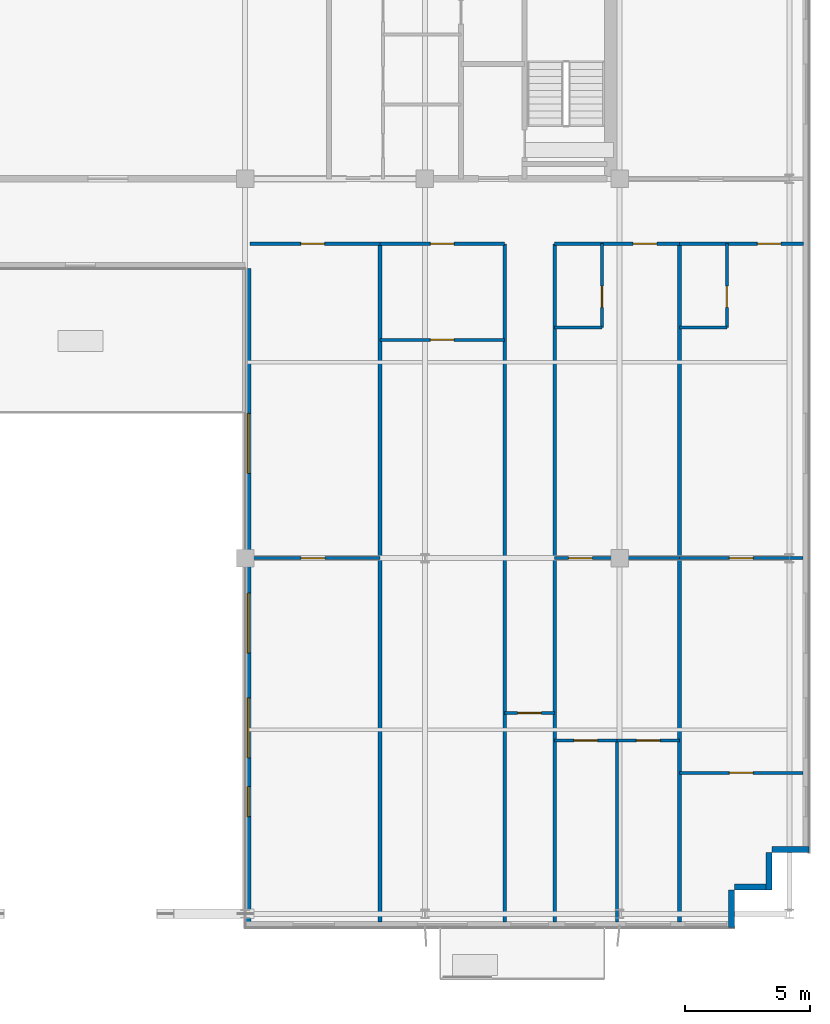
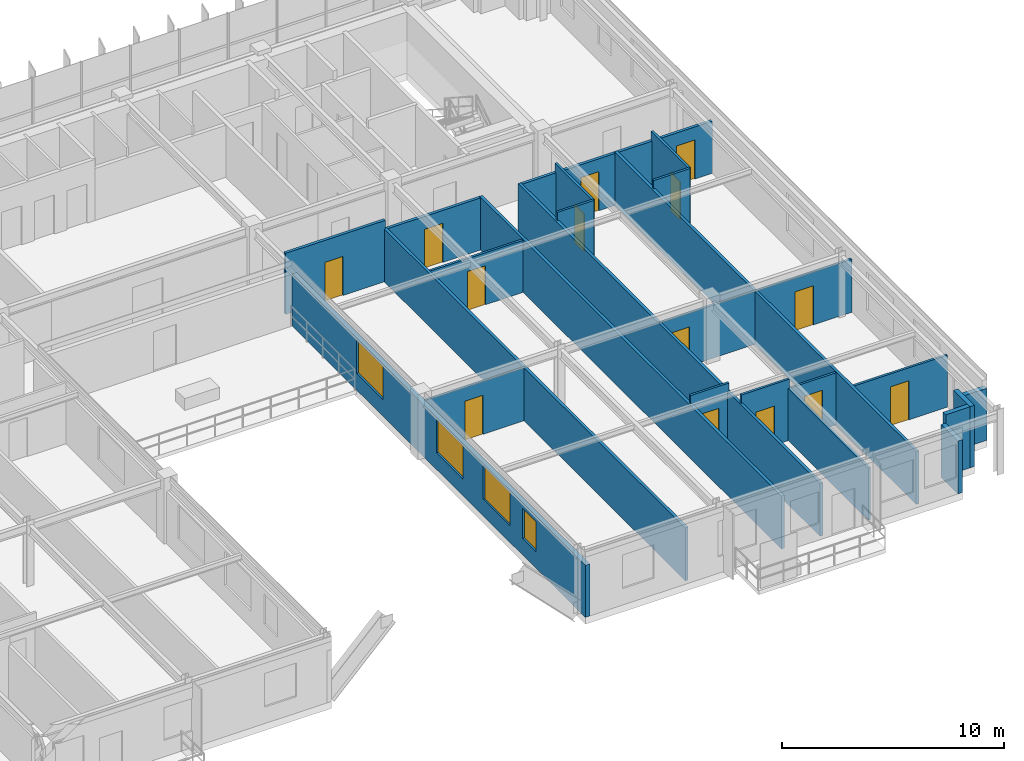
# One storey, part 18 of 23: 26 walls, 14 doors, 4 windows, 18 openings.
"""IFC4 building model written with IfcOpenShell, lengths in metres."""

from ifc_helpers import new_model, si_unit, direction, frame, frame_2d, origin, place, context, subcontext, project, spatial, rectangle, extrude, source, transform, mapped, material, layer, layer_set, type_object, element, fill, save


model = new_model("IFC4")

# Units and contexts
model_context = context("Model", 3, precision=1e-05, world=origin(), true_north=direction((0.0, 1.0)))
body_context = subcontext(model_context, "Body", "Model", "MODEL_VIEW")
ifc_project = project(units=[si_unit("LENGTHUNIT", "METRE"), si_unit("AREAUNIT", "SQUARE_METRE"), si_unit("VOLUMEUNIT", "CUBIC_METRE"), si_unit("PLANEANGLEUNIT", "RADIAN"), si_unit("MASSUNIT", "GRAM", prefix="KILO")], contexts=[model_context])

# Site, building, storey
site_placement = place(None, origin())
site = spatial("IfcSite", under=ifc_project, at=site_placement, CompositionType="ELEMENT")
building_placement = place(site_placement, origin())
building = spatial("IfcBuilding", under=site, at=building_placement, Name="Trelvane Seafront Commons", CompositionType="ELEMENT")
storey_placement = place(building_placement, frame((0.0, 0.0, 190.5)))
storey = spatial("IfcBuildingStorey", under=building, at=storey_placement, Name="L49", CompositionType="ELEMENT", Elevation=190.5)

# Walls
ifc_material_1 = material(Name="Precast concrete C40/50", Category="concrete")
ifc_layer_1 = layer(ifc_material_1, 0.239990234375, Name="ARCH-WALL-EXT240")
ifc_layer_set_1 = layer_set([ifc_layer_1], Name="Precast concrete C40/50")
wall_type_1 = type_object("IfcWallType", Name="ARCH-WALL-EXT240", PredefinedType="SOLIDWALL", material=ifc_layer_set_1)
wall_1_placement = place(storey_placement, frame((66.39990234375, 6.52001953125, 0.0), z_axis=(0.0, 0.0, 1.0), x_axis=(-1.0, 0.0, 0.0)))
element("IfcWall", 1, at=wall_1_placement, inside=storey, type_object=wall_type_1, Name="EW-L49-00972", PredefinedType="SOLIDWALL", context=body_context, shape_type="SweptSolid", body=[
    extrude(rectangle(XDim=1.5, YDim=0.239990234375, at=frame_2d((0.75, 0.0))), origin(), (0.0, 0.0, 1.0), 2.860107421875),
])
for number, where, z_axis, x_axis, name in (
    (2, (64.780029296875, 6.39990234375, 0.0), (0.0, 0.0, 1.0), (0.0, -1.0, 0.0), "EW-L49-00973"),
    (3, (64.89990234375, 5.02001953125, 0.0), (0.0, 0.0, 1.0), (-1.0, 0.0, 0.0), "EW-L49-00974"),
):
    element("IfcWall", number, at=place(storey_placement, frame(where, z_axis=z_axis, x_axis=x_axis)), inside=storey, type_object=wall_type_1, Name=name, PredefinedType="SOLIDWALL", context=body_context, shape_type="SweptSolid", body=[
        extrude(rectangle(XDim=1.5, YDim=0.239990234375, at=frame_2d((0.75, 0.0))), origin(), (0.0, 0.0, 1.0), 3.360107421875),
    ])
wall_2_placement = place(storey_placement, frame((63.280029296875, 4.89990234375, 0.0), z_axis=(0.0, 0.0, 1.0), x_axis=(0.0, -1.0, 0.0)))
element("IfcWall", 4, at=wall_2_placement, inside=storey, type_object=wall_type_1, Name="EW-L49-00975", PredefinedType="SOLIDWALL", context=body_context, shape_type="SweptSolid", body=[
    extrude(rectangle(XDim=1.5, YDim=0.239990234375, at=frame_2d((0.75, 0.0))), origin(), (0.0, 0.0, 1.0), 2.909912109375),
])

# Wall, openings, windows
wall_3_placement = place(storey_placement, frame((43.919921875, 3.39990234375, 0.0), z_axis=(0.0, 0.0, 1.0), x_axis=(0.0, 1.0, 0.0)))
wall_3 = element("IfcWall", 5, at=wall_3_placement, inside=storey, type_object=wall_type_1, Name="EW-L49-00977", PredefinedType="SOLIDWALL", context=body_context, shape_type="SweptSolid", body=[
    extrude(rectangle(XDim=26.400146484375, YDim=0.239990234375, at=frame_2d((13.2001953125, 0.0))), origin(), (0.0, 0.0, 1.0), 2.860107421875),
])
opening_1_placement = place(wall_3_placement, frame((4.449951171875, 0.0, 0.919921875)))
opening_1 = element("IfcOpeningElement", 6, at=opening_1_placement, cuts=wall_3, Name="Opening W05", PredefinedType="OPENING", context=body_context, shape_type="SweptSolid", body=[
    extrude(rectangle(XDim=1.199951171875, YDim=1.64990234375, at=frame_2d((0.60009765625, 0.824951171875))), frame((0.0, 0.1298828125, 0.0), z_axis=(0.0, -1.0, 0.0), x_axis=(1.0, 0.0, 0.0)), (0.0, 0.0, 1.0), 0.260009765625),
])
opening_2_placement = place(wall_3_placement, frame((6.800048828125, 0.0, 0.919921875)))
opening_2 = element("IfcOpeningElement", 7, at=opening_2_placement, cuts=wall_3, Name="Opening W08", PredefinedType="OPENING", context=body_context, shape_type="SweptSolid", body=[
    extrude(rectangle(XDim=2.39990234375, YDim=1.840087890625, at=frame_2d((1.199951171875, 0.919921875))), frame((0.0, 0.1298828125, 0.0), z_axis=(0.0, -1.0, 0.0), x_axis=(1.0, 0.0, 0.0)), (0.0, 0.0, 1.0), 0.260009765625),
])
opening_3_placement = place(wall_3_placement, frame((11.0, 0.0, 0.919921875)))
opening_3 = element("IfcOpeningElement", 8, at=opening_3_placement, cuts=wall_3, Name="Opening W08", PredefinedType="OPENING", context=body_context, shape_type="SweptSolid", body=[
    extrude(rectangle(XDim=2.39990234375, YDim=1.840087890625, at=frame_2d((1.199951171875, 0.919921875))), frame((0.0, 0.1298828125, 0.0), z_axis=(0.0, -1.0, 0.0), x_axis=(1.0, 0.0, 0.0)), (0.0, 0.0, 1.0), 0.260009765625),
])
opening_4_placement = place(wall_3_placement, frame((18.199951171875, 0.0, 0.919921875)))
opening_4 = element("IfcOpeningElement", 9, at=opening_4_placement, cuts=wall_3, Name="Opening W08", PredefinedType="OPENING", context=body_context, shape_type="SweptSolid", body=[
    extrude(rectangle(XDim=2.39990234375, YDim=1.840087890625, at=frame_2d((1.199951171875, 0.919921875))), frame((0.0, 0.1298828125, 0.0), z_axis=(0.0, -1.0, 0.0), x_axis=(1.0, 0.0, 0.0)), (0.0, 0.0, 1.0), 0.260009765625),
])
ifc_material_2 = material(Name="Low-E coastal double glazing", Category="glass")
window_type_1 = type_object("IfcWindowType", Name="ARCH-WIN-W05", PartitioningType="SINGLE_PANEL", PredefinedType="WINDOW", material=ifc_material_2)
shared_shape_1 = source(origin(), body_context, "Body", "SweptSolid", [
    extrude(rectangle(XDim=1.199951171875, YDim=1.64990234375, at=frame_2d((0.60009765625, 0.824951171875))), frame((0.0, 0.030029296875, 0.0), z_axis=(0.0, -1.0, 0.0), x_axis=(1.0, 0.0, 0.0)), (0.0, 0.0, 1.0), 0.06005859375),
])
window_1_placement = place(opening_1_placement, origin())
window_1 = element("IfcWindow", 10, at=window_1_placement, inside=storey, type_object=window_type_1, Name="WIN-L49-EW-01154", OverallHeight=1.64990234375, OverallWidth=1.199951171875, PartitioningType="SINGLE_PANEL", PredefinedType="WINDOW", context=body_context, shape_type="MappedRepresentation", body=[
    mapped(shared_shape_1, transform((0.0, 0.0, 0.0), x_axis=(1.0, 0.0, 0.0), y_axis=(0.0, 1.0, 0.0), z_axis=(0.0, 0.0, 1.0), scale=1.0)),
])
fill(opening_1, window_1)
window_type_2 = type_object("IfcWindowType", Name="ARCH-WIN-W08", PartitioningType="SINGLE_PANEL", PredefinedType="WINDOW", material=ifc_material_2)
shared_shape_2 = source(origin(), body_context, "Body", "SweptSolid", [
    extrude(rectangle(XDim=2.39990234375, YDim=1.840087890625, at=frame_2d((1.199951171875, 0.919921875))), frame((0.0, 0.030029296875, 0.0), z_axis=(0.0, -1.0, 0.0), x_axis=(1.0, 0.0, 0.0)), (0.0, 0.0, 1.0), 0.06005859375),
])
window_2_placement = place(opening_2_placement, origin())
window_2 = element("IfcWindow", 11, at=window_2_placement, inside=storey, type_object=window_type_2, Name="WIN-L49-EW-01155", OverallHeight=1.840087890625, OverallWidth=2.39990234375, PartitioningType="SINGLE_PANEL", PredefinedType="WINDOW", context=body_context, shape_type="MappedRepresentation", body=[
    mapped(shared_shape_2, transform((0.0, 0.0, 0.0), x_axis=(1.0, 0.0, 0.0), y_axis=(0.0, 1.0, 0.0), z_axis=(0.0, 0.0, 1.0), scale=1.0)),
])
fill(opening_2, window_2)
window_3_placement = place(opening_3_placement, origin())
window_3 = element("IfcWindow", 12, at=window_3_placement, inside=storey, type_object=window_type_2, Name="WIN-L49-EW-01156", OverallHeight=1.840087890625, OverallWidth=2.39990234375, PartitioningType="SINGLE_PANEL", PredefinedType="WINDOW", context=body_context, shape_type="MappedRepresentation", body=[
    mapped(shared_shape_2, transform((0.0, 0.0, 0.0), x_axis=(1.0, 0.0, 0.0), y_axis=(0.0, 1.0, 0.0), z_axis=(0.0, 0.0, 1.0), scale=1.0)),
])
fill(opening_3, window_3)
window_4_placement = place(opening_4_placement, origin())
window_4 = element("IfcWindow", 13, at=window_4_placement, inside=storey, type_object=window_type_2, Name="WIN-L49-EW-01157", OverallHeight=1.840087890625, OverallWidth=2.39990234375, PartitioningType="SINGLE_PANEL", PredefinedType="WINDOW", context=body_context, shape_type="MappedRepresentation", body=[
    mapped(shared_shape_2, transform((0.0, 0.0, 0.0), x_axis=(1.0, 0.0, 0.0), y_axis=(0.0, 1.0, 0.0), z_axis=(0.0, 0.0, 1.0), scale=1.0)),
])
fill(opening_4, window_4)

# Wall, opening, door
ifc_material_3 = material(Name="Gypsum Drywall Acoustic Partition")
ifc_layer_2 = layer(ifc_material_3, 0.1201171875, Name="ARCH-WALL-PART120")
ifc_layer_set_2 = layer_set([ifc_layer_2], Name="Gypsum Drywall Acoustic Partition")
wall_type_2 = type_object("IfcWallType", Name="ARCH-WALL-PART120", PredefinedType="PARTITIONING", material=ifc_layer_set_2)
wall_4_placement = place(storey_placement, frame((44.02490234375, 18.199951171875, 0.0), z_axis=(0.0, 0.0, 1.0), x_axis=(1.0, 0.0, 0.0)))
wall_4 = element("IfcWall", 14, at=wall_4_placement, inside=storey, type_object=wall_type_2, Name="W-L49-U7-DIV-071", PredefinedType="PARTITIONING", context=body_context, shape_type="SweptSolid", body=[
    extrude(rectangle(XDim=5.175048828125, YDim=0.1201171875, at=frame_2d((2.58740234375, 0.0))), origin(), (0.0, 0.0, 1.0), 2.909912109375),
])
opening_5_placement = place(wall_4_placement, frame((2.02099609375, 0.0, 0.0)))
opening_5 = element("IfcOpeningElement", 15, at=opening_5_placement, cuts=wall_4, Name="Opening D-L49-44", PredefinedType="OPENING", context=body_context, shape_type="SweptSolid", body=[
    extrude(rectangle(XDim=0.949951171875, YDim=2.14990234375, at=frame_2d((0.47509765625, 1.074951171875))), frame((0.0, 0.070068359375, 0.0), z_axis=(0.0, -1.0, 0.0), x_axis=(1.0, 0.0, 0.0)), (0.0, 0.0, 1.0), 0.14013671875),
])
ifc_material_4 = material(Name="Acoustic timber door leaf", Category="wood")
door_type_1 = type_object("IfcDoorType", Name="ARCH-DR-INT950", OperationType="NOTDEFINED", PredefinedType="DOOR", material=ifc_material_4)
shared_shape_3 = source(origin(), body_context, "Body", "SweptSolid", [
    extrude(rectangle(XDim=0.949951171875, YDim=2.14990234375, at=frame_2d((0.47509765625, 1.074951171875))), frame((0.0, 0.02490234375, 0.0), z_axis=(0.0, -1.0, 0.0), x_axis=(1.0, 0.0, 0.0)), (0.0, 0.0, 1.0), 0.050048828125),
])
door_1_placement = place(opening_5_placement, origin())
door_1 = element("IfcDoor", 16, at=door_1_placement, inside=storey, type_object=door_type_1, Name="L49 Door 44", OperationType="SINGLE_SWING_RIGHT", OverallHeight=2.14990234375, OverallWidth=0.949951171875, PredefinedType="DOOR", context=body_context, shape_type="MappedRepresentation", body=[
    mapped(shared_shape_3, transform((0.0, 0.0, 0.0), x_axis=(1.0, 0.0, 0.0), y_axis=(0.0, 1.0, 0.0), z_axis=(0.0, 0.0, 1.0), scale=1.0)),
])
fill(opening_5, door_1)

wall_5_placement = place(storey_placement, frame((49.199951171875, 26.949951171875, 0.0), z_axis=(0.0, 0.0, 1.0), x_axis=(1.0, 0.0, 0.0)))
wall_5 = element("IfcWall", 17, at=wall_5_placement, inside=storey, type_object=wall_type_2, Name="W-L49-U8-DIV-073", PredefinedType="PARTITIONING", context=body_context, shape_type="SweptSolid", body=[
    extrude(rectangle(XDim=5.0, YDim=0.1201171875, at=frame_2d((2.5, 0.0))), origin(), (0.0, 0.0, 1.0), 2.860107421875),
])
opening_6_placement = place(wall_5_placement, frame((2.02490234375, 0.0, 0.0)))
opening_6 = element("IfcOpeningElement", 18, at=opening_6_placement, cuts=wall_5, Name="Opening D-L49-46", PredefinedType="OPENING", context=body_context, shape_type="SweptSolid", body=[
    extrude(rectangle(XDim=0.949951171875, YDim=2.14990234375, at=frame_2d((0.47509765625, 1.074951171875))), frame((0.0, 0.070068359375, 0.0), z_axis=(0.0, -1.0, 0.0), x_axis=(1.0, 0.0, 0.0)), (0.0, 0.0, 1.0), 0.14013671875),
])
door_2_placement = place(opening_6_placement, origin())
door_2 = element("IfcDoor", 19, at=door_2_placement, inside=storey, type_object=door_type_1, Name="L49 Door 46", OperationType="SINGLE_SWING_RIGHT", OverallHeight=2.14990234375, OverallWidth=0.949951171875, PredefinedType="DOOR", context=body_context, shape_type="MappedRepresentation", body=[
    mapped(shared_shape_3, transform((0.0, 0.0, 0.0), x_axis=(1.0, 0.0, 0.0), y_axis=(0.0, 1.0, 0.0), z_axis=(0.0, 0.0, 1.0), scale=1.0)),
])
fill(opening_6, door_2)

wall_6_placement = place(storey_placement, frame((54.199951171875, 12.0, 0.0), z_axis=(0.0, 0.0, 1.0), x_axis=(1.0, 0.0, 0.0)))
wall_6 = element("IfcWall", 20, at=wall_6_placement, inside=storey, type_object=wall_type_2, Name="W-L49-ARM-END-9-076", PredefinedType="PARTITIONING", context=body_context, shape_type="SweptSolid", body=[
    extrude(rectangle(XDim=2.0, YDim=0.1201171875, at=frame_2d((1.0, 0.0))), origin(), (0.0, 0.0, 1.0), 3.360107421875),
])
opening_7_placement = place(wall_6_placement, frame((0.52001953125, 0.0, 0.0)))
opening_7 = element("IfcOpeningElement", 21, at=opening_7_placement, cuts=wall_6, Name="Opening D-L49-47", PredefinedType="OPENING", context=body_context, shape_type="SweptSolid", body=[
    extrude(rectangle(XDim=0.949951171875, YDim=2.14990234375, at=frame_2d((0.47509765625, 1.074951171875))), frame((0.0, 0.070068359375, 0.0), z_axis=(0.0, -1.0, 0.0), x_axis=(1.0, 0.0, 0.0)), (0.0, 0.0, 1.0), 0.14013671875),
])
door_3_placement = place(opening_7_placement, origin())
door_3 = element("IfcDoor", 22, at=door_3_placement, inside=storey, type_object=door_type_1, Name="L49 Door 47", OperationType="SINGLE_SWING_LEFT", OverallHeight=2.14990234375, OverallWidth=0.949951171875, PredefinedType="DOOR", context=body_context, shape_type="MappedRepresentation", body=[
    mapped(shared_shape_3, transform((0.0, 0.0, 0.0), x_axis=(1.0, 0.0, 0.0), y_axis=(0.0, 1.0, 0.0), z_axis=(0.0, 0.0, 1.0), scale=1.0)),
])
fill(opening_7, door_3)

wall_7_placement = place(storey_placement, frame((56.199951171875, 18.199951171875, 0.0), z_axis=(0.0, 0.0, 1.0), x_axis=(1.0, 0.0, 0.0)))
wall_7 = element("IfcWall", 23, at=wall_7_placement, inside=storey, type_object=wall_type_2, Name="W-L49-U10-KL-077", PredefinedType="PARTITIONING", context=body_context, shape_type="SweptSolid", body=[
    extrude(rectangle(XDim=5.0, YDim=0.1201171875, at=frame_2d((2.5, 0.0))), origin(), (0.0, 0.0, 1.0), 2.909912109375),
])
opening_8_placement = place(wall_7_placement, frame((0.56298828125, 0.0, 0.0)))
opening_8 = element("IfcOpeningElement", 24, at=opening_8_placement, cuts=wall_7, Name="Opening D-L49-48", PredefinedType="OPENING", context=body_context, shape_type="SweptSolid", body=[
    extrude(rectangle(XDim=0.949951171875, YDim=2.14990234375, at=frame_2d((0.47509765625, 1.074951171875))), frame((0.0, 0.070068359375, 0.0), z_axis=(0.0, -1.0, 0.0), x_axis=(1.0, 0.0, 0.0)), (0.0, 0.0, 1.0), 0.14013671875),
])
door_4_placement = place(opening_8_placement, origin())
door_4 = element("IfcDoor", 25, at=door_4_placement, inside=storey, type_object=door_type_1, Name="L49 Door 48", OperationType="SINGLE_SWING_RIGHT", OverallHeight=2.14990234375, OverallWidth=0.949951171875, PredefinedType="DOOR", context=body_context, shape_type="MappedRepresentation", body=[
    mapped(shared_shape_3, transform((0.0, 0.0, 0.0), x_axis=(1.0, 0.0, 0.0), y_axis=(0.0, 1.0, 0.0), z_axis=(0.0, 0.0, 1.0), scale=1.0)),
])
fill(opening_8, door_4)

wall_8_placement = place(storey_placement, frame((58.10009765625, 27.449951171875, 0.0), z_axis=(0.0, 0.0, 1.0), x_axis=(0.0, 1.0, 0.0)))
wall_8 = element("IfcWall", 26, at=wall_8_placement, inside=storey, type_object=wall_type_2, Name="W-L49-U10-BE-078", PredefinedType="PARTITIONING", context=body_context, shape_type="SweptSolid", body=[
    extrude(rectangle(XDim=3.35009765625, YDim=0.1201171875, at=frame_2d((1.675048828125, 0.0))), origin(), (0.0, 0.0, 1.0), 3.360107421875),
])
opening_9_placement = place(wall_8_placement, frame((0.800048828125, 0.0, 0.0)))
opening_9 = element("IfcOpeningElement", 27, at=opening_9_placement, cuts=wall_8, Name="Opening D-L49-49", PredefinedType="OPENING", context=body_context, shape_type="SweptSolid", body=[
    extrude(rectangle(XDim=0.85009765625, YDim=2.10009765625, at=frame_2d((0.425048828125, 1.050048828125))), frame((0.0, 0.070068359375, 0.0), z_axis=(0.0, -1.0, 0.0), x_axis=(1.0, 0.0, 0.0)), (0.0, 0.0, 1.0), 0.14013671875),
])
door_type_2 = type_object("IfcDoorType", Name="ARCH-DR-INT850", OperationType="NOTDEFINED", PredefinedType="DOOR", material=ifc_material_4)
shared_shape_4 = source(origin(), body_context, "Body", "SweptSolid", [
    extrude(rectangle(XDim=0.85009765625, YDim=2.10009765625, at=frame_2d((0.425048828125, 1.050048828125))), frame((0.0, 0.02490234375, 0.0), z_axis=(0.0, -1.0, 0.0), x_axis=(1.0, 0.0, 0.0)), (0.0, 0.0, 1.0), 0.050048828125),
])
door_5_placement = place(opening_9_placement, origin())
door_5 = element("IfcDoor", 28, at=door_5_placement, inside=storey, type_object=door_type_2, Name="L49 Door 49", OperationType="SINGLE_SWING_LEFT", OverallHeight=2.10009765625, OverallWidth=0.85009765625, PredefinedType="DOOR", context=body_context, shape_type="MappedRepresentation", body=[
    mapped(shared_shape_4, transform((0.0, 0.0, 0.0), x_axis=(1.0, 0.0, 0.0), y_axis=(0.0, 1.0, 0.0), z_axis=(0.0, 0.0, 1.0), scale=1.0)),
])
fill(opening_9, door_5)

# Wall
wall_9_placement = place(storey_placement, frame((56.199951171875, 27.449951171875, 0.0), z_axis=(0.0, 0.0, 1.0), x_axis=(1.0, 0.0, 0.0)))
element("IfcWall", 29, at=wall_9_placement, inside=storey, type_object=wall_type_2, Name="W-L49-U10-BS-079", PredefinedType="PARTITIONING", context=body_context, shape_type="SweptSolid", body=[
    extrude(rectangle(XDim=1.900146484375, YDim=0.1201171875, at=frame_2d((0.9501953125, 0.0))), origin(), (0.0, 0.0, 1.0), 3.360107421875),
])

# Wall, opening, door
wall_10_placement = place(storey_placement, frame((56.199951171875, 10.89990234375, 0.0), z_axis=(0.0, 0.0, 1.0), x_axis=(1.0, 0.0, 0.0)))
wall_10 = element("IfcWall", 30, at=wall_10_placement, inside=storey, type_object=wall_type_2, Name="W-L49-U10-YM-1-081", PredefinedType="PARTITIONING", context=body_context, shape_type="SweptSolid", body=[
    extrude(rectangle(XDim=2.5, YDim=0.1201171875, at=frame_2d((1.25, 0.0))), origin(), (0.0, 0.0, 1.0), 3.360107421875),
])
opening_10_placement = place(wall_10_placement, frame((0.77490234375, 0.0, 0.0)))
opening_10 = element("IfcOpeningElement", 31, at=opening_10_placement, cuts=wall_10, Name="Opening D-L49-51", PredefinedType="OPENING", context=body_context, shape_type="SweptSolid", body=[
    extrude(rectangle(XDim=0.949951171875, YDim=2.14990234375, at=frame_2d((0.47509765625, 1.074951171875))), frame((0.0, 0.070068359375, 0.0), z_axis=(0.0, -1.0, 0.0), x_axis=(1.0, 0.0, 0.0)), (0.0, 0.0, 1.0), 0.14013671875),
])
door_6_placement = place(opening_10_placement, origin())
door_6 = element("IfcDoor", 32, at=door_6_placement, inside=storey, type_object=door_type_1, Name="L49 Door 51", OperationType="SINGLE_SWING_LEFT", OverallHeight=2.14990234375, OverallWidth=0.949951171875, PredefinedType="DOOR", context=body_context, shape_type="MappedRepresentation", body=[
    mapped(shared_shape_3, transform((0.0, 0.0, 0.0), x_axis=(1.0, 0.0, 0.0), y_axis=(0.0, 1.0, 0.0), z_axis=(0.0, 0.0, 1.0), scale=1.0)),
])
fill(opening_10, door_6)

wall_11_placement = place(storey_placement, frame((58.699951171875, 10.89990234375, 0.0), z_axis=(0.0, 0.0, 1.0), x_axis=(1.0, 0.0, 0.0)))
wall_11 = element("IfcWall", 33, at=wall_11_placement, inside=storey, type_object=wall_type_2, Name="W-L49-U10-YM-2-082", PredefinedType="PARTITIONING", context=body_context, shape_type="SweptSolid", body=[
    extrude(rectangle(XDim=2.5, YDim=0.1201171875, at=frame_2d((1.25, 0.0))), origin(), (0.0, 0.0, 1.0), 2.860107421875),
])
opening_11_placement = place(wall_11_placement, frame((0.77490234375, 0.0, 0.0)))
opening_11 = element("IfcOpeningElement", 34, at=opening_11_placement, cuts=wall_11, Name="Opening D-L49-52", PredefinedType="OPENING", context=body_context, shape_type="SweptSolid", body=[
    extrude(rectangle(XDim=0.949951171875, YDim=2.14990234375, at=frame_2d((0.47509765625, 1.074951171875))), frame((0.0, 0.070068359375, 0.0), z_axis=(0.0, -1.0, 0.0), x_axis=(1.0, 0.0, 0.0)), (0.0, 0.0, 1.0), 0.14013671875),
])
door_7_placement = place(opening_11_placement, origin())
door_7 = element("IfcDoor", 35, at=door_7_placement, inside=storey, type_object=door_type_1, Name="L49 Door 52", OperationType="SINGLE_SWING_RIGHT", OverallHeight=2.14990234375, OverallWidth=0.949951171875, PredefinedType="DOOR", context=body_context, shape_type="MappedRepresentation", body=[
    mapped(shared_shape_3, transform((0.0, 0.0, 0.0), x_axis=(1.0, 0.0, 0.0), y_axis=(0.0, 1.0, 0.0), z_axis=(0.0, 0.0, 1.0), scale=1.0)),
])
fill(opening_11, door_7)

# Wall
wall_12_placement = place(storey_placement, frame((58.699951171875, 3.625, 0.0), z_axis=(0.0, 0.0, 1.0), x_axis=(0.0, 1.0, 0.0)))
element("IfcWall", 36, at=wall_12_placement, inside=storey, type_object=wall_type_2, Name="W-L49-U10-BDV-1-083", PredefinedType="PARTITIONING", context=body_context, shape_type="SweptSolid", body=[
    extrude(rectangle(XDim=7.27490234375, YDim=0.1201171875, at=frame_2d((3.637451171875, 0.0))), origin(), (0.0, 0.0, 1.0), 2.860107421875),
])

# Wall, opening, door
wall_13_placement = place(storey_placement, frame((61.199951171875, 18.199951171875, 0.0), z_axis=(0.0, 0.0, 1.0), x_axis=(1.0, 0.0, 0.0)))
wall_13 = element("IfcWall", 37, at=wall_13_placement, inside=storey, type_object=wall_type_2, Name="W-L49-U11-KL-084", PredefinedType="PARTITIONING", context=body_context, shape_type="SweptSolid", body=[
    extrude(rectangle(XDim=4.9599609375, YDim=0.1201171875, at=frame_2d((2.47998046875, 0.0))), origin(), (0.0, 0.0, 1.0), 2.909912109375),
])
opening_12_placement = place(wall_13_placement, frame((2.0048828125, 0.0, 0.0)))
opening_12 = element("IfcOpeningElement", 38, at=opening_12_placement, cuts=wall_13, Name="Opening D-L49-53", PredefinedType="OPENING", context=body_context, shape_type="SweptSolid", body=[
    extrude(rectangle(XDim=0.949951171875, YDim=2.14990234375, at=frame_2d((0.47509765625, 1.074951171875))), frame((0.0, 0.070068359375, 0.0), z_axis=(0.0, -1.0, 0.0), x_axis=(1.0, 0.0, 0.0)), (0.0, 0.0, 1.0), 0.14013671875),
])
door_8_placement = place(opening_12_placement, origin())
door_8 = element("IfcDoor", 39, at=door_8_placement, inside=storey, type_object=door_type_1, Name="L49 Door 53", OperationType="SINGLE_SWING_LEFT", OverallHeight=2.14990234375, OverallWidth=0.949951171875, PredefinedType="DOOR", context=body_context, shape_type="MappedRepresentation", body=[
    mapped(shared_shape_3, transform((0.0, 0.0, 0.0), x_axis=(1.0, 0.0, 0.0), y_axis=(0.0, 1.0, 0.0), z_axis=(0.0, 0.0, 1.0), scale=1.0)),
])
fill(opening_12, door_8)

wall_14_placement = place(storey_placement, frame((63.10009765625, 27.449951171875, 0.0), z_axis=(0.0, 0.0, 1.0), x_axis=(0.0, 1.0, 0.0)))
wall_14 = element("IfcWall", 40, at=wall_14_placement, inside=storey, type_object=wall_type_2, Name="W-L49-U11-BE-085", PredefinedType="PARTITIONING", context=body_context, shape_type="SweptSolid", body=[
    extrude(rectangle(XDim=3.35009765625, YDim=0.1201171875, at=frame_2d((1.675048828125, 0.0))), origin(), (0.0, 0.0, 1.0), 3.360107421875),
])
opening_13_placement = place(wall_14_placement, frame((0.800048828125, 0.0, 0.0)))
opening_13 = element("IfcOpeningElement", 41, at=opening_13_placement, cuts=wall_14, Name="Opening D-L49-54", PredefinedType="OPENING", context=body_context, shape_type="SweptSolid", body=[
    extrude(rectangle(XDim=0.85009765625, YDim=2.10009765625, at=frame_2d((0.425048828125, 1.050048828125))), frame((0.0, 0.070068359375, 0.0), z_axis=(0.0, -1.0, 0.0), x_axis=(1.0, 0.0, 0.0)), (0.0, 0.0, 1.0), 0.14013671875),
])
door_9_placement = place(opening_13_placement, origin())
door_9 = element("IfcDoor", 42, at=door_9_placement, inside=storey, type_object=door_type_2, Name="L49 Door 54", OperationType="SINGLE_SWING_RIGHT", OverallHeight=2.10009765625, OverallWidth=0.85009765625, PredefinedType="DOOR", context=body_context, shape_type="MappedRepresentation", body=[
    mapped(shared_shape_4, transform((0.0, 0.0, 0.0), x_axis=(1.0, 0.0, 0.0), y_axis=(0.0, 1.0, 0.0), z_axis=(0.0, 0.0, 1.0), scale=1.0)),
])
fill(opening_13, door_9)

# Wall
wall_15_placement = place(storey_placement, frame((61.199951171875, 27.449951171875, 0.0), z_axis=(0.0, 0.0, 1.0), x_axis=(1.0, 0.0, 0.0)))
element("IfcWall", 43, at=wall_15_placement, inside=storey, type_object=wall_type_2, Name="W-L49-U11-BS-086", PredefinedType="PARTITIONING", context=body_context, shape_type="SweptSolid", body=[
    extrude(rectangle(XDim=1.900146484375, YDim=0.1201171875, at=frame_2d((0.9501953125, 0.0))), origin(), (0.0, 0.0, 1.0), 3.360107421875),
])

# Wall, opening, door
wall_16_placement = place(storey_placement, frame((61.199951171875, 9.60009765625, 0.0), z_axis=(0.0, 0.0, 1.0), x_axis=(1.0, 0.0, 0.0)))
wall_16 = element("IfcWall", 44, at=wall_16_placement, inside=storey, type_object=wall_type_2, Name="W-L49-U11-YM-1-088", PredefinedType="PARTITIONING", context=body_context, shape_type="SweptSolid", body=[
    extrude(rectangle(XDim=4.9599609375, YDim=0.1201171875, at=frame_2d((2.47998046875, 0.0))), origin(), (0.0, 0.0, 1.0), 2.860107421875),
])
opening_14_placement = place(wall_16_placement, frame((2.0048828125, 0.0, 0.0)))
opening_14 = element("IfcOpeningElement", 45, at=opening_14_placement, cuts=wall_16, Name="Opening D-L49-56", PredefinedType="OPENING", context=body_context, shape_type="SweptSolid", body=[
    extrude(rectangle(XDim=0.949951171875, YDim=2.14990234375, at=frame_2d((0.47509765625, 1.074951171875))), frame((0.0, 0.070068359375, 0.0), z_axis=(0.0, -1.0, 0.0), x_axis=(1.0, 0.0, 0.0)), (0.0, 0.0, 1.0), 0.14013671875),
])
door_10_placement = place(opening_14_placement, origin())
door_10 = element("IfcDoor", 46, at=door_10_placement, inside=storey, type_object=door_type_1, Name="L49 Door 56", OperationType="SINGLE_SWING_RIGHT", OverallHeight=2.14990234375, OverallWidth=0.949951171875, PredefinedType="DOOR", context=body_context, shape_type="MappedRepresentation", body=[
    mapped(shared_shape_3, transform((0.0, 0.0, 0.0), x_axis=(1.0, 0.0, 0.0), y_axis=(0.0, 1.0, 0.0), z_axis=(0.0, 0.0, 1.0), scale=1.0)),
])
fill(opening_14, door_10)

# Walls
ifc_layer_3 = layer(ifc_material_3, 0.14990234375, Name="ARCH-WALL-PART150")
ifc_layer_set_3 = layer_set([ifc_layer_3], Name="Gypsum Drywall Acoustic Partition")
wall_type_3 = type_object("IfcWallType", Name="ARCH-WALL-PART150", PredefinedType="PARTITIONING", material=ifc_layer_set_3)
for number, where, z_axis, x_axis, name in (
    (47, (49.199951171875, 3.625, 0.0), (0.0, 0.0, 1.0), (0.0, 1.0, 0.0), "W-L49-PW-7-049"),
    (48, (61.199951171875, 3.625, 0.0), (0.0, 0.0, 1.0), (0.0, 1.0, 0.0), "W-L49-PW-10-050"),
):
    element("IfcWall", number, at=place(storey_placement, frame(where, z_axis=z_axis, x_axis=x_axis)), inside=storey, type_object=wall_type_3, Name=name, PredefinedType="PARTITIONING", context=body_context, shape_type="SweptSolid", body=[
        extrude(rectangle(XDim=27.175048828125, YDim=0.14990234375, at=frame_2d((13.58740234375, 0.0))), origin(), (0.0, 0.0, 1.0), 2.909912109375),
    ])

# Wall, opening, door
wall_17_placement = place(storey_placement, frame((44.0, 30.800048828125, 0.0), z_axis=(0.0, 0.0, 1.0), x_axis=(1.0, 0.0, 0.0)))
wall_17 = element("IfcWall", 49, at=wall_17_placement, inside=storey, type_object=wall_type_3, Name="W-L49-CS-BAY-7-070", PredefinedType="PARTITIONING", context=body_context, shape_type="SweptSolid", body=[
    extrude(rectangle(XDim=5.199951171875, YDim=0.14990234375, at=frame_2d((2.60009765625, 0.0))), origin(), (0.0, 0.0, 1.0), 3.360107421875),
])
opening_15_placement = place(wall_17_placement, frame((2.032958984375, 0.0, 0.0)))
opening_15 = element("IfcOpeningElement", 50, at=opening_15_placement, cuts=wall_17, Name="Opening FD-L49-43", PredefinedType="OPENING", context=body_context, shape_type="SweptSolid", body=[
    extrude(rectangle(XDim=0.949951171875, YDim=2.14990234375, at=frame_2d((0.47509765625, 1.074951171875))), frame((0.0, 0.0849609375, 0.0), z_axis=(0.0, -1.0, 0.0), x_axis=(1.0, 0.0, 0.0)), (0.0, 0.0, 1.0), 0.169921875),
])
ifc_material_5 = material(Name="Powder-coated aluminium frame", Category="aluminium")
door_type_3 = type_object("IfcDoorType", Name="ARCH-DR-FD60-950", OperationType="NOTDEFINED", PredefinedType="DOOR", material=ifc_material_5)
door_11_placement = place(opening_15_placement, origin())
door_11 = element("IfcDoor", 51, at=door_11_placement, inside=storey, type_object=door_type_3, Name="L49 Bay 07 Entrance Door", OperationType="SINGLE_SWING_LEFT", OverallHeight=2.14990234375, OverallWidth=0.949951171875, PredefinedType="DOOR", context=body_context, shape_type="MappedRepresentation", body=[
    mapped(shared_shape_3, transform((0.0, 0.0, 0.0), x_axis=(1.0, 0.0, 0.0), y_axis=(0.0, 1.0, 0.0), z_axis=(0.0, 0.0, 1.0), scale=1.0)),
])
fill(opening_15, door_11)

wall_18_placement = place(storey_placement, frame((49.199951171875, 30.800048828125, 0.0), z_axis=(0.0, 0.0, 1.0), x_axis=(1.0, 0.0, 0.0)))
wall_18 = element("IfcWall", 52, at=wall_18_placement, inside=storey, type_object=wall_type_3, Name="W-L49-CS-BAY-8-072", PredefinedType="PARTITIONING", context=body_context, shape_type="SweptSolid", body=[
    extrude(rectangle(XDim=5.0, YDim=0.14990234375, at=frame_2d((2.5, 0.0))), origin(), (0.0, 0.0, 1.0), 2.860107421875),
])
opening_16_placement = place(wall_18_placement, frame((2.02490234375, 0.0, 0.0)))
opening_16 = element("IfcOpeningElement", 53, at=opening_16_placement, cuts=wall_18, Name="Opening FD-L49-45", PredefinedType="OPENING", context=body_context, shape_type="SweptSolid", body=[
    extrude(rectangle(XDim=0.949951171875, YDim=2.14990234375, at=frame_2d((0.47509765625, 1.074951171875))), frame((0.0, 0.0849609375, 0.0), z_axis=(0.0, -1.0, 0.0), x_axis=(1.0, 0.0, 0.0)), (0.0, 0.0, 1.0), 0.169921875),
])
door_12_placement = place(opening_16_placement, origin())
door_12 = element("IfcDoor", 54, at=door_12_placement, inside=storey, type_object=door_type_3, Name="L49 Bay 08 Entrance Door", OperationType="SINGLE_SWING_LEFT", OverallHeight=2.14990234375, OverallWidth=0.949951171875, PredefinedType="DOOR", context=body_context, shape_type="MappedRepresentation", body=[
    mapped(shared_shape_3, transform((0.0, 0.0, 0.0), x_axis=(1.0, 0.0, 0.0), y_axis=(0.0, 1.0, 0.0), z_axis=(0.0, 0.0, 1.0), scale=1.0)),
])
fill(opening_16, door_12)

# Walls
for number, where, z_axis, x_axis, name in (
    (55, (54.199951171875, 3.625, 0.0), (0.0, 0.0, 1.0), (0.0, 1.0, 0.0), "W-L49-ARM-W-9-074"),
    (56, (56.199951171875, 3.625, 0.0), (0.0, 0.0, 1.0), (0.0, 1.0, 0.0), "W-L49-ARM-E-9-075"),
):
    element("IfcWall", number, at=place(storey_placement, frame(where, z_axis=z_axis, x_axis=x_axis)), inside=storey, type_object=wall_type_3, Name=name, PredefinedType="PARTITIONING", context=body_context, shape_type="SweptSolid", body=[
        extrude(rectangle(XDim=27.175048828125, YDim=0.14990234375, at=frame_2d((13.58740234375, 0.0))), origin(), (0.0, 0.0, 1.0), 2.909912109375),
    ])

# Wall, opening, door
wall_19_placement = place(storey_placement, frame((56.199951171875, 30.800048828125, 0.0), z_axis=(0.0, 0.0, 1.0), x_axis=(1.0, 0.0, 0.0)))
wall_19 = element("IfcWall", 57, at=wall_19_placement, inside=storey, type_object=wall_type_3, Name="W-L49-CS-BAY-10-080", PredefinedType="PARTITIONING", context=body_context, shape_type="SweptSolid", body=[
    extrude(rectangle(XDim=5.0, YDim=0.14990234375, at=frame_2d((2.5, 0.0))), origin(), (0.0, 0.0, 1.0), 2.860107421875),
])
opening_17_placement = place(wall_19_placement, frame((3.14404296875, 0.0, 0.0)))
opening_17 = element("IfcOpeningElement", 58, at=opening_17_placement, cuts=wall_19, Name="Opening FD-L49-50", PredefinedType="OPENING", context=body_context, shape_type="SweptSolid", body=[
    extrude(rectangle(XDim=0.949951171875, YDim=2.14990234375, at=frame_2d((0.47509765625, 1.074951171875))), frame((0.0, 0.0849609375, 0.0), z_axis=(0.0, -1.0, 0.0), x_axis=(1.0, 0.0, 0.0)), (0.0, 0.0, 1.0), 0.169921875),
])
door_13_placement = place(opening_17_placement, origin())
door_13 = element("IfcDoor", 59, at=door_13_placement, inside=storey, type_object=door_type_3, Name="L49 Unit 10 Entrance Door", OperationType="SINGLE_SWING_RIGHT", OverallHeight=2.14990234375, OverallWidth=0.949951171875, PredefinedType="DOOR", context=body_context, shape_type="MappedRepresentation", body=[
    mapped(shared_shape_3, transform((0.0, 0.0, 0.0), x_axis=(1.0, 0.0, 0.0), y_axis=(0.0, 1.0, 0.0), z_axis=(0.0, 0.0, 1.0), scale=1.0)),
])
fill(opening_17, door_13)

wall_20_placement = place(storey_placement, frame((61.199951171875, 30.800048828125, 0.0), z_axis=(0.0, 0.0, 1.0), x_axis=(1.0, 0.0, 0.0)))
wall_20 = element("IfcWall", 60, at=wall_20_placement, inside=storey, type_object=wall_type_3, Name="W-L49-CS-BAY-11-087", PredefinedType="PARTITIONING", context=body_context, shape_type="SweptSolid", body=[
    extrude(rectangle(XDim=4.97509765625, YDim=0.14990234375, at=frame_2d((2.487548828125, 0.0))), origin(), (0.0, 0.0, 1.0), 2.860107421875),
])
opening_18_placement = place(wall_20_placement, frame((3.118896484375, 0.0, 0.0)))
opening_18 = element("IfcOpeningElement", 61, at=opening_18_placement, cuts=wall_20, Name="Opening FD-L49-55", PredefinedType="OPENING", context=body_context, shape_type="SweptSolid", body=[
    extrude(rectangle(XDim=0.949951171875, YDim=2.14990234375, at=frame_2d((0.47509765625, 1.074951171875))), frame((0.0, 0.0849609375, 0.0), z_axis=(0.0, -1.0, 0.0), x_axis=(1.0, 0.0, 0.0)), (0.0, 0.0, 1.0), 0.169921875),
])
door_14_placement = place(opening_18_placement, origin())
door_14 = element("IfcDoor", 62, at=door_14_placement, inside=storey, type_object=door_type_3, Name="L49 Unit 11 Entrance Door", OperationType="SINGLE_SWING_LEFT", OverallHeight=2.14990234375, OverallWidth=0.949951171875, PredefinedType="DOOR", context=body_context, shape_type="MappedRepresentation", body=[
    mapped(shared_shape_3, transform((0.0, 0.0, 0.0), x_axis=(1.0, 0.0, 0.0), y_axis=(0.0, 1.0, 0.0), z_axis=(0.0, 0.0, 1.0), scale=1.0)),
])
fill(opening_18, door_14)

save(model, "model.ifc")
